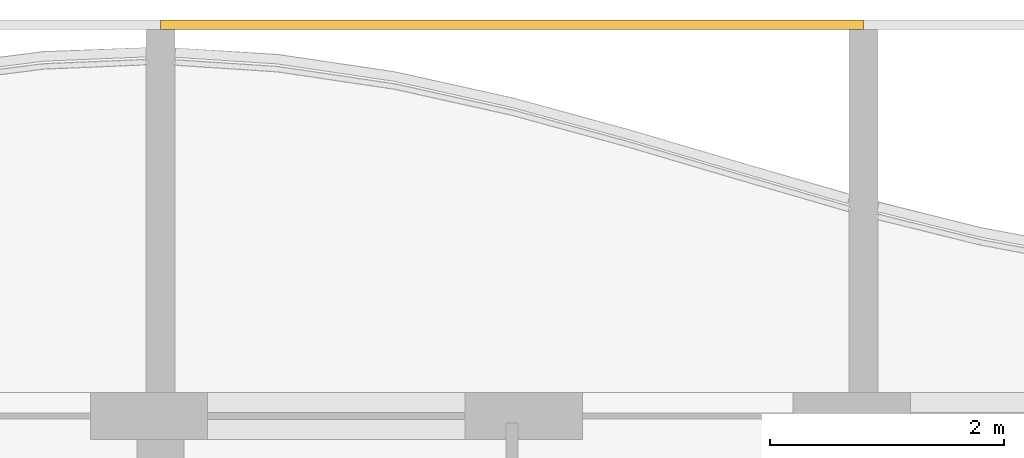
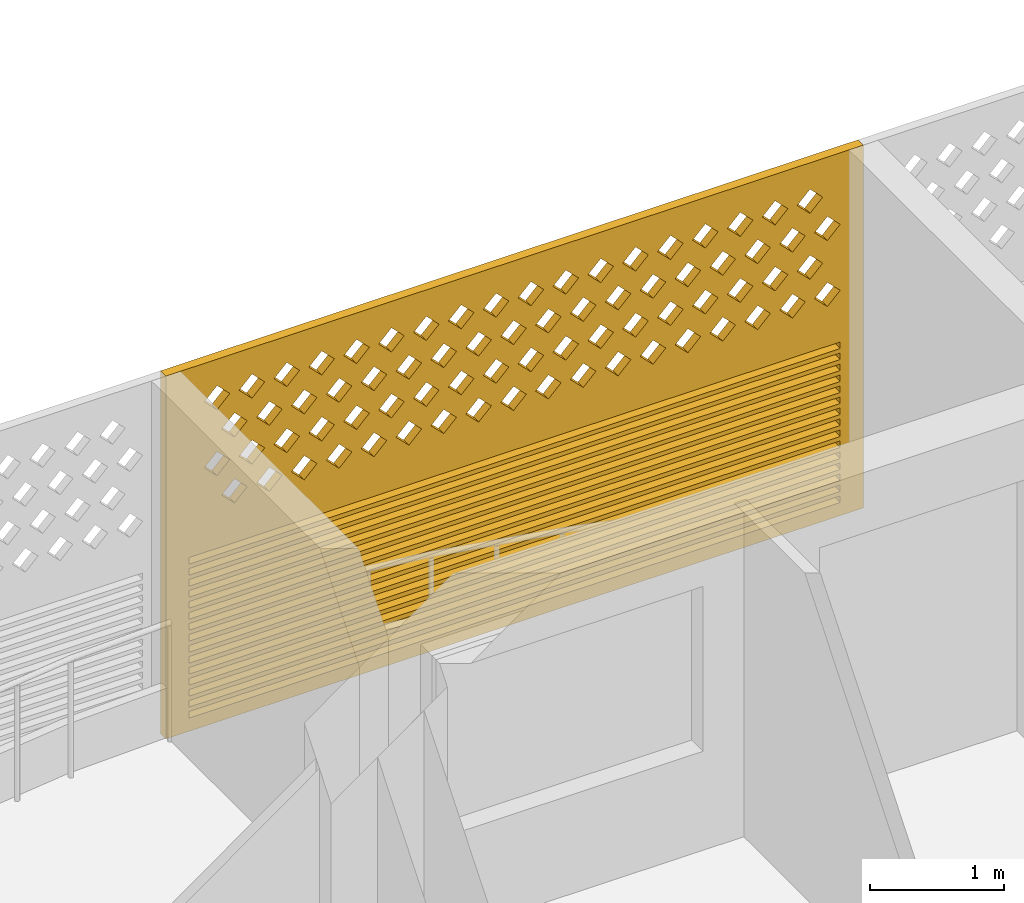
# One storey, part 22 of 39: 1 covering.
"""IFC4 building model written with IfcOpenShell, lengths in metres."""

from ifc_helpers import new_model, si_unit, direction, frame, origin, place, context, subcontext, project, spatial, polyline, outline, extrude, source, transform, mapped, material, material_profile, profile_set, type_object, element, save


model = new_model("IFC4")

# Units and contexts
model_context = context("Model", 3, precision=1e-05, world=origin(), true_north=direction((0.0, 1.0)))
body_context = subcontext(model_context, "Body", "Model", "MODEL_VIEW")
ifc_project = project(units=[si_unit("LENGTHUNIT", "METRE"), si_unit("AREAUNIT", "SQUARE_METRE"), si_unit("VOLUMEUNIT", "CUBIC_METRE"), si_unit("PLANEANGLEUNIT", "RADIAN"), si_unit("MASSUNIT", "GRAM", prefix="KILO")], contexts=[model_context])

# Site, building, storey
site_placement = place(None, origin())
site = spatial("IfcSite", under=ifc_project, at=site_placement, CompositionType="ELEMENT")
building_placement = place(site_placement, origin())
building = spatial("IfcBuilding", under=site, at=building_placement, Name="Poui Terraces", CompositionType="ELEMENT")
storey_placement = place(building_placement, frame((0.0, 0.0, 63.0)))
storey = spatial("IfcBuildingStorey", under=building, at=storey_placement, Name="L17", CompositionType="ELEMENT", Elevation=63.0)

# Covering
ifc_material = material(Name="Terracotta screen", Category="masonry")
ifc_material_profile = material_profile(ifc_material, outline(polyline([(-3.0, -1.64990234375), (3.0, -1.64990234375), (3.0, 1.64990234375), (-3.0, 1.64990234375), (-3.0, -1.64990234375)]), holes=[polyline([(-2.800048828125, 0.39990234375), (-2.68994140625, 0.2900390625), (-2.580078125, 0.39990234375), (-2.68994140625, 0.510009765625), (-2.800048828125, 0.39990234375)]), polyline([(-2.5, 0.39990234375), (-2.389892578125, 0.2900390625), (-2.280029296875, 0.39990234375), (-2.389892578125, 0.510009765625), (-2.5, 0.39990234375)]), polyline([(-2.199951171875, 0.39990234375), (-2.090087890625, 0.2900390625), (-1.97998046875, 0.39990234375), (-2.090087890625, 0.510009765625), (-2.199951171875, 0.39990234375)]), polyline([(-1.89990234375, 0.39990234375), (-1.7900390625, 0.2900390625), (-1.679931640625, 0.39990234375), (-1.7900390625, 0.510009765625), (-1.89990234375, 0.39990234375)]), polyline([(-1.60009765625, 0.39990234375), (-1.489990234375, 0.2900390625), (-1.3798828125, 0.39990234375), (-1.489990234375, 0.510009765625), (-1.60009765625, 0.39990234375)]), polyline([(-1.300048828125, 0.39990234375), (-1.18994140625, 0.2900390625), (-1.080078125, 0.39990234375), (-1.18994140625, 0.510009765625), (-1.300048828125, 0.39990234375)]), polyline([(-1.0, 0.39990234375), (-0.889892578125, 0.2900390625), (-0.780029296875, 0.39990234375), (-0.889892578125, 0.510009765625), (-1.0, 0.39990234375)]), polyline([(-0.699951171875, 0.39990234375), (-0.590087890625, 0.2900390625), (-0.47998046875, 0.39990234375), (-0.590087890625, 0.510009765625), (-0.699951171875, 0.39990234375)]), polyline([(-0.39990234375, 0.39990234375), (-0.2900390625, 0.2900390625), (-0.179931640625, 0.39990234375), (-0.2900390625, 0.510009765625), (-0.39990234375, 0.39990234375)]), polyline([(-0.10009765625, 0.39990234375), (0.010009765625, 0.2900390625), (0.1201171875, 0.39990234375), (0.010009765625, 0.510009765625), (-0.10009765625, 0.39990234375)]), polyline([(0.199951171875, 0.39990234375), (0.31005859375, 0.2900390625), (0.419921875, 0.39990234375), (0.31005859375, 0.510009765625), (0.199951171875, 0.39990234375)]), polyline([(0.5, 0.39990234375), (0.610107421875, 0.2900390625), (0.719970703125, 0.39990234375), (0.610107421875, 0.510009765625), (0.5, 0.39990234375)]), polyline([(0.800048828125, 0.39990234375), (0.909912109375, 0.2900390625), (1.02001953125, 0.39990234375), (0.909912109375, 0.510009765625), (0.800048828125, 0.39990234375)]), polyline([(1.10009765625, 0.39990234375), (1.2099609375, 0.2900390625), (1.320068359375, 0.39990234375), (1.2099609375, 0.510009765625), (1.10009765625, 0.39990234375)]), polyline([(1.39990234375, 0.39990234375), (1.510009765625, 0.2900390625), (1.6201171875, 0.39990234375), (1.510009765625, 0.510009765625), (1.39990234375, 0.39990234375)]), polyline([(1.699951171875, 0.39990234375), (1.81005859375, 0.2900390625), (1.919921875, 0.39990234375), (1.81005859375, 0.510009765625), (1.699951171875, 0.39990234375)]), polyline([(2.0, 0.39990234375), (2.110107421875, 0.2900390625), (2.219970703125, 0.39990234375), (2.110107421875, 0.510009765625), (2.0, 0.39990234375)]), polyline([(2.300048828125, 0.39990234375), (2.409912109375, 0.2900390625), (2.52001953125, 0.39990234375), (2.409912109375, 0.510009765625), (2.300048828125, 0.39990234375)]), polyline([(-2.64990234375, 0.699951171875), (-2.5400390625, 0.590087890625), (-2.429931640625, 0.699951171875), (-2.5400390625, 0.81005859375), (-2.64990234375, 0.699951171875)]), polyline([(-2.35009765625, 0.699951171875), (-2.239990234375, 0.590087890625), (-2.1298828125, 0.699951171875), (-2.239990234375, 0.81005859375), (-2.35009765625, 0.699951171875)]), polyline([(-2.050048828125, 0.699951171875), (-1.93994140625, 0.590087890625), (-1.830078125, 0.699951171875), (-1.93994140625, 0.81005859375), (-2.050048828125, 0.699951171875)]), polyline([(-1.75, 0.699951171875), (-1.639892578125, 0.590087890625), (-1.530029296875, 0.699951171875), (-1.639892578125, 0.81005859375), (-1.75, 0.699951171875)]), polyline([(-1.449951171875, 0.699951171875), (-1.340087890625, 0.590087890625), (-1.22998046875, 0.699951171875), (-1.340087890625, 0.81005859375), (-1.449951171875, 0.699951171875)]), polyline([(-1.14990234375, 0.699951171875), (-1.0400390625, 0.590087890625), (-0.929931640625, 0.699951171875), (-1.0400390625, 0.81005859375), (-1.14990234375, 0.699951171875)]), polyline([(-0.85009765625, 0.699951171875), (-0.739990234375, 0.590087890625), (-0.6298828125, 0.699951171875), (-0.739990234375, 0.81005859375), (-0.85009765625, 0.699951171875)]), polyline([(-0.550048828125, 0.699951171875), (-0.43994140625, 0.590087890625), (-0.330078125, 0.699951171875), (-0.43994140625, 0.81005859375), (-0.550048828125, 0.699951171875)]), polyline([(-0.25, 0.699951171875), (-0.139892578125, 0.590087890625), (-0.030029296875, 0.699951171875), (-0.139892578125, 0.81005859375), (-0.25, 0.699951171875)]), polyline([(0.050048828125, 0.699951171875), (0.159912109375, 0.590087890625), (0.27001953125, 0.699951171875), (0.159912109375, 0.81005859375), (0.050048828125, 0.699951171875)]), polyline([(0.35009765625, 0.699951171875), (0.4599609375, 0.590087890625), (0.570068359375, 0.699951171875), (0.4599609375, 0.81005859375), (0.35009765625, 0.699951171875)]), polyline([(0.64990234375, 0.699951171875), (0.760009765625, 0.590087890625), (0.8701171875, 0.699951171875), (0.760009765625, 0.81005859375), (0.64990234375, 0.699951171875)]), polyline([(0.949951171875, 0.699951171875), (1.06005859375, 0.590087890625), (1.169921875, 0.699951171875), (1.06005859375, 0.81005859375), (0.949951171875, 0.699951171875)]), polyline([(1.25, 0.699951171875), (1.360107421875, 0.590087890625), (1.469970703125, 0.699951171875), (1.360107421875, 0.81005859375), (1.25, 0.699951171875)]), polyline([(1.550048828125, 0.699951171875), (1.659912109375, 0.590087890625), (1.77001953125, 0.699951171875), (1.659912109375, 0.81005859375), (1.550048828125, 0.699951171875)]), polyline([(1.85009765625, 0.699951171875), (1.9599609375, 0.590087890625), (2.070068359375, 0.699951171875), (1.9599609375, 0.81005859375), (1.85009765625, 0.699951171875)]), polyline([(2.14990234375, 0.699951171875), (2.260009765625, 0.590087890625), (2.3701171875, 0.699951171875), (2.260009765625, 0.81005859375), (2.14990234375, 0.699951171875)]), polyline([(2.449951171875, 0.699951171875), (2.56005859375, 0.590087890625), (2.669921875, 0.699951171875), (2.56005859375, 0.81005859375), (2.449951171875, 0.699951171875)]), polyline([(-2.800048828125, 1.0), (-2.68994140625, 0.889892578125), (-2.580078125, 1.0), (-2.68994140625, 1.110107421875), (-2.800048828125, 1.0)]), polyline([(-2.5, 1.0), (-2.389892578125, 0.889892578125), (-2.280029296875, 1.0), (-2.389892578125, 1.110107421875), (-2.5, 1.0)]), polyline([(-2.199951171875, 1.0), (-2.090087890625, 0.889892578125), (-1.97998046875, 1.0), (-2.090087890625, 1.110107421875), (-2.199951171875, 1.0)]), polyline([(-1.89990234375, 1.0), (-1.7900390625, 0.889892578125), (-1.679931640625, 1.0), (-1.7900390625, 1.110107421875), (-1.89990234375, 1.0)]), polyline([(-1.60009765625, 1.0), (-1.489990234375, 0.889892578125), (-1.3798828125, 1.0), (-1.489990234375, 1.110107421875), (-1.60009765625, 1.0)]), polyline([(-1.300048828125, 1.0), (-1.18994140625, 0.889892578125), (-1.080078125, 1.0), (-1.18994140625, 1.110107421875), (-1.300048828125, 1.0)]), polyline([(-1.0, 1.0), (-0.889892578125, 0.889892578125), (-0.780029296875, 1.0), (-0.889892578125, 1.110107421875), (-1.0, 1.0)]), polyline([(-0.699951171875, 1.0), (-0.590087890625, 0.889892578125), (-0.47998046875, 1.0), (-0.590087890625, 1.110107421875), (-0.699951171875, 1.0)]), polyline([(-0.39990234375, 1.0), (-0.2900390625, 0.889892578125), (-0.179931640625, 1.0), (-0.2900390625, 1.110107421875), (-0.39990234375, 1.0)]), polyline([(-0.10009765625, 1.0), (0.010009765625, 0.889892578125), (0.1201171875, 1.0), (0.010009765625, 1.110107421875), (-0.10009765625, 1.0)]), polyline([(0.199951171875, 1.0), (0.31005859375, 0.889892578125), (0.419921875, 1.0), (0.31005859375, 1.110107421875), (0.199951171875, 1.0)]), polyline([(0.5, 1.0), (0.610107421875, 0.889892578125), (0.719970703125, 1.0), (0.610107421875, 1.110107421875), (0.5, 1.0)]), polyline([(0.800048828125, 1.0), (0.909912109375, 0.889892578125), (1.02001953125, 1.0), (0.909912109375, 1.110107421875), (0.800048828125, 1.0)]), polyline([(1.10009765625, 1.0), (1.2099609375, 0.889892578125), (1.320068359375, 1.0), (1.2099609375, 1.110107421875), (1.10009765625, 1.0)]), polyline([(1.39990234375, 1.0), (1.510009765625, 0.889892578125), (1.6201171875, 1.0), (1.510009765625, 1.110107421875), (1.39990234375, 1.0)]), polyline([(1.699951171875, 1.0), (1.81005859375, 0.889892578125), (1.919921875, 1.0), (1.81005859375, 1.110107421875), (1.699951171875, 1.0)]), polyline([(2.0, 1.0), (2.110107421875, 0.889892578125), (2.219970703125, 1.0), (2.110107421875, 1.110107421875), (2.0, 1.0)]), polyline([(2.300048828125, 1.0), (2.409912109375, 0.889892578125), (2.52001953125, 1.0), (2.409912109375, 1.110107421875), (2.300048828125, 1.0)]), polyline([(-2.64990234375, 1.300048828125), (-2.5400390625, 1.18994140625), (-2.429931640625, 1.300048828125), (-2.5400390625, 1.409912109375), (-2.64990234375, 1.300048828125)]), polyline([(-2.35009765625, 1.300048828125), (-2.239990234375, 1.18994140625), (-2.1298828125, 1.300048828125), (-2.239990234375, 1.409912109375), (-2.35009765625, 1.300048828125)]), polyline([(-2.050048828125, 1.300048828125), (-1.93994140625, 1.18994140625), (-1.830078125, 1.300048828125), (-1.93994140625, 1.409912109375), (-2.050048828125, 1.300048828125)]), polyline([(-1.75, 1.300048828125), (-1.639892578125, 1.18994140625), (-1.530029296875, 1.300048828125), (-1.639892578125, 1.409912109375), (-1.75, 1.300048828125)]), polyline([(-1.449951171875, 1.300048828125), (-1.340087890625, 1.18994140625), (-1.22998046875, 1.300048828125), (-1.340087890625, 1.409912109375), (-1.449951171875, 1.300048828125)]), polyline([(-1.14990234375, 1.300048828125), (-1.0400390625, 1.18994140625), (-0.929931640625, 1.300048828125), (-1.0400390625, 1.409912109375), (-1.14990234375, 1.300048828125)]), polyline([(-0.85009765625, 1.300048828125), (-0.739990234375, 1.18994140625), (-0.6298828125, 1.300048828125), (-0.739990234375, 1.409912109375), (-0.85009765625, 1.300048828125)]), polyline([(-0.550048828125, 1.300048828125), (-0.43994140625, 1.18994140625), (-0.330078125, 1.300048828125), (-0.43994140625, 1.409912109375), (-0.550048828125, 1.300048828125)]), polyline([(-0.25, 1.300048828125), (-0.139892578125, 1.18994140625), (-0.030029296875, 1.300048828125), (-0.139892578125, 1.409912109375), (-0.25, 1.300048828125)]), polyline([(0.050048828125, 1.300048828125), (0.159912109375, 1.18994140625), (0.27001953125, 1.300048828125), (0.159912109375, 1.409912109375), (0.050048828125, 1.300048828125)]), polyline([(0.35009765625, 1.300048828125), (0.4599609375, 1.18994140625), (0.570068359375, 1.300048828125), (0.4599609375, 1.409912109375), (0.35009765625, 1.300048828125)]), polyline([(0.64990234375, 1.300048828125), (0.760009765625, 1.18994140625), (0.8701171875, 1.300048828125), (0.760009765625, 1.409912109375), (0.64990234375, 1.300048828125)]), polyline([(0.949951171875, 1.300048828125), (1.06005859375, 1.18994140625), (1.169921875, 1.300048828125), (1.06005859375, 1.409912109375), (0.949951171875, 1.300048828125)]), polyline([(1.25, 1.300048828125), (1.360107421875, 1.18994140625), (1.469970703125, 1.300048828125), (1.360107421875, 1.409912109375), (1.25, 1.300048828125)]), polyline([(1.550048828125, 1.300048828125), (1.659912109375, 1.18994140625), (1.77001953125, 1.300048828125), (1.659912109375, 1.409912109375), (1.550048828125, 1.300048828125)]), polyline([(1.85009765625, 1.300048828125), (1.9599609375, 1.18994140625), (2.070068359375, 1.300048828125), (1.9599609375, 1.409912109375), (1.85009765625, 1.300048828125)]), polyline([(2.14990234375, 1.300048828125), (2.260009765625, 1.18994140625), (2.3701171875, 1.300048828125), (2.260009765625, 1.409912109375), (2.14990234375, 1.300048828125)]), polyline([(2.449951171875, 1.300048828125), (2.56005859375, 1.18994140625), (2.669921875, 1.300048828125), (2.56005859375, 1.409912109375), (2.449951171875, 1.300048828125)]), polyline([(-2.800048828125, -1.530029296875), (2.800048828125, -1.530029296875), (2.800048828125, -1.469970703125), (-2.800048828125, -1.469970703125), (-2.800048828125, -1.530029296875)]), polyline([(-2.800048828125, -1.429931640625), (2.800048828125, -1.429931640625), (2.800048828125, -1.3701171875), (-2.800048828125, -1.3701171875), (-2.800048828125, -1.429931640625)]), polyline([(-2.800048828125, -1.330078125), (2.800048828125, -1.330078125), (2.800048828125, -1.27001953125), (-2.800048828125, -1.27001953125), (-2.800048828125, -1.330078125)]), polyline([(-2.800048828125, -1.22998046875), (2.800048828125, -1.22998046875), (2.800048828125, -1.169921875), (-2.800048828125, -1.169921875), (-2.800048828125, -1.22998046875)]), polyline([(-2.800048828125, -1.1298828125), (2.800048828125, -1.1298828125), (2.800048828125, -1.070068359375), (-2.800048828125, -1.070068359375), (-2.800048828125, -1.1298828125)]), polyline([(-2.800048828125, -1.030029296875), (2.800048828125, -1.030029296875), (2.800048828125, -0.969970703125), (-2.800048828125, -0.969970703125), (-2.800048828125, -1.030029296875)]), polyline([(-2.800048828125, -0.929931640625), (2.800048828125, -0.929931640625), (2.800048828125, -0.8701171875), (-2.800048828125, -0.8701171875), (-2.800048828125, -0.929931640625)]), polyline([(-2.800048828125, -0.830078125), (2.800048828125, -0.830078125), (2.800048828125, -0.77001953125), (-2.800048828125, -0.77001953125), (-2.800048828125, -0.830078125)]), polyline([(-2.800048828125, -0.72998046875), (2.800048828125, -0.72998046875), (2.800048828125, -0.669921875), (-2.800048828125, -0.669921875), (-2.800048828125, -0.72998046875)]), polyline([(-2.800048828125, -0.6298828125), (2.800048828125, -0.6298828125), (2.800048828125, -0.570068359375), (-2.800048828125, -0.570068359375), (-2.800048828125, -0.6298828125)]), polyline([(-2.800048828125, -0.530029296875), (2.800048828125, -0.530029296875), (2.800048828125, -0.469970703125), (-2.800048828125, -0.469970703125), (-2.800048828125, -0.530029296875)]), polyline([(-2.800048828125, -0.429931640625), (2.800048828125, -0.429931640625), (2.800048828125, -0.3701171875), (-2.800048828125, -0.3701171875), (-2.800048828125, -0.429931640625)]), polyline([(-2.800048828125, -0.330078125), (2.800048828125, -0.330078125), (2.800048828125, -0.27001953125), (-2.800048828125, -0.27001953125), (-2.800048828125, -0.330078125)]), polyline([(-2.800048828125, -0.22998046875), (2.800048828125, -0.22998046875), (2.800048828125, -0.169921875), (-2.800048828125, -0.169921875), (-2.800048828125, -0.22998046875)]), polyline([(-2.800048828125, -0.1298828125), (2.800048828125, -0.1298828125), (2.800048828125, -0.070068359375), (-2.800048828125, -0.070068359375), (-2.800048828125, -0.1298828125)])]), Name="TERRACOTTA SCREEN AND JALOUSIE LOUVRE 6000X3300")
ifc_profile_set = profile_set([ifc_material_profile], Name="Terracotta screen")
covering_type = type_object("IfcCoveringType", Name="TERRACOTTA SCREEN AND JALOUSIE LOUVRE 6000X3300", PredefinedType="CLADDING", material=ifc_profile_set)
shared_shape = source(origin(), body_context, "Body", "SweptSolid", [
    extrude(outline(polyline([(-3.0, -1.64990234375), (3.0, -1.64990234375), (3.0, 1.64990234375), (-3.0, 1.64990234375), (-3.0, -1.64990234375)]), holes=[polyline([(-2.800048828125, 0.39990234375), (-2.68994140625, 0.2900390625), (-2.580078125, 0.39990234375), (-2.68994140625, 0.510009765625), (-2.800048828125, 0.39990234375)]), polyline([(-2.5, 0.39990234375), (-2.389892578125, 0.2900390625), (-2.280029296875, 0.39990234375), (-2.389892578125, 0.510009765625), (-2.5, 0.39990234375)]), polyline([(-2.199951171875, 0.39990234375), (-2.090087890625, 0.2900390625), (-1.97998046875, 0.39990234375), (-2.090087890625, 0.510009765625), (-2.199951171875, 0.39990234375)]), polyline([(-1.89990234375, 0.39990234375), (-1.7900390625, 0.2900390625), (-1.679931640625, 0.39990234375), (-1.7900390625, 0.510009765625), (-1.89990234375, 0.39990234375)]), polyline([(-1.60009765625, 0.39990234375), (-1.489990234375, 0.2900390625), (-1.3798828125, 0.39990234375), (-1.489990234375, 0.510009765625), (-1.60009765625, 0.39990234375)]), polyline([(-1.300048828125, 0.39990234375), (-1.18994140625, 0.2900390625), (-1.080078125, 0.39990234375), (-1.18994140625, 0.510009765625), (-1.300048828125, 0.39990234375)]), polyline([(-1.0, 0.39990234375), (-0.889892578125, 0.2900390625), (-0.780029296875, 0.39990234375), (-0.889892578125, 0.510009765625), (-1.0, 0.39990234375)]), polyline([(-0.699951171875, 0.39990234375), (-0.590087890625, 0.2900390625), (-0.47998046875, 0.39990234375), (-0.590087890625, 0.510009765625), (-0.699951171875, 0.39990234375)]), polyline([(-0.39990234375, 0.39990234375), (-0.2900390625, 0.2900390625), (-0.179931640625, 0.39990234375), (-0.2900390625, 0.510009765625), (-0.39990234375, 0.39990234375)]), polyline([(-0.10009765625, 0.39990234375), (0.010009765625, 0.2900390625), (0.1201171875, 0.39990234375), (0.010009765625, 0.510009765625), (-0.10009765625, 0.39990234375)]), polyline([(0.199951171875, 0.39990234375), (0.31005859375, 0.2900390625), (0.419921875, 0.39990234375), (0.31005859375, 0.510009765625), (0.199951171875, 0.39990234375)]), polyline([(0.5, 0.39990234375), (0.610107421875, 0.2900390625), (0.719970703125, 0.39990234375), (0.610107421875, 0.510009765625), (0.5, 0.39990234375)]), polyline([(0.800048828125, 0.39990234375), (0.909912109375, 0.2900390625), (1.02001953125, 0.39990234375), (0.909912109375, 0.510009765625), (0.800048828125, 0.39990234375)]), polyline([(1.10009765625, 0.39990234375), (1.2099609375, 0.2900390625), (1.320068359375, 0.39990234375), (1.2099609375, 0.510009765625), (1.10009765625, 0.39990234375)]), polyline([(1.39990234375, 0.39990234375), (1.510009765625, 0.2900390625), (1.6201171875, 0.39990234375), (1.510009765625, 0.510009765625), (1.39990234375, 0.39990234375)]), polyline([(1.699951171875, 0.39990234375), (1.81005859375, 0.2900390625), (1.919921875, 0.39990234375), (1.81005859375, 0.510009765625), (1.699951171875, 0.39990234375)]), polyline([(2.0, 0.39990234375), (2.110107421875, 0.2900390625), (2.219970703125, 0.39990234375), (2.110107421875, 0.510009765625), (2.0, 0.39990234375)]), polyline([(2.300048828125, 0.39990234375), (2.409912109375, 0.2900390625), (2.52001953125, 0.39990234375), (2.409912109375, 0.510009765625), (2.300048828125, 0.39990234375)]), polyline([(-2.64990234375, 0.699951171875), (-2.5400390625, 0.590087890625), (-2.429931640625, 0.699951171875), (-2.5400390625, 0.81005859375), (-2.64990234375, 0.699951171875)]), polyline([(-2.35009765625, 0.699951171875), (-2.239990234375, 0.590087890625), (-2.1298828125, 0.699951171875), (-2.239990234375, 0.81005859375), (-2.35009765625, 0.699951171875)]), polyline([(-2.050048828125, 0.699951171875), (-1.93994140625, 0.590087890625), (-1.830078125, 0.699951171875), (-1.93994140625, 0.81005859375), (-2.050048828125, 0.699951171875)]), polyline([(-1.75, 0.699951171875), (-1.639892578125, 0.590087890625), (-1.530029296875, 0.699951171875), (-1.639892578125, 0.81005859375), (-1.75, 0.699951171875)]), polyline([(-1.449951171875, 0.699951171875), (-1.340087890625, 0.590087890625), (-1.22998046875, 0.699951171875), (-1.340087890625, 0.81005859375), (-1.449951171875, 0.699951171875)]), polyline([(-1.14990234375, 0.699951171875), (-1.0400390625, 0.590087890625), (-0.929931640625, 0.699951171875), (-1.0400390625, 0.81005859375), (-1.14990234375, 0.699951171875)]), polyline([(-0.85009765625, 0.699951171875), (-0.739990234375, 0.590087890625), (-0.6298828125, 0.699951171875), (-0.739990234375, 0.81005859375), (-0.85009765625, 0.699951171875)]), polyline([(-0.550048828125, 0.699951171875), (-0.43994140625, 0.590087890625), (-0.330078125, 0.699951171875), (-0.43994140625, 0.81005859375), (-0.550048828125, 0.699951171875)]), polyline([(-0.25, 0.699951171875), (-0.139892578125, 0.590087890625), (-0.030029296875, 0.699951171875), (-0.139892578125, 0.81005859375), (-0.25, 0.699951171875)]), polyline([(0.050048828125, 0.699951171875), (0.159912109375, 0.590087890625), (0.27001953125, 0.699951171875), (0.159912109375, 0.81005859375), (0.050048828125, 0.699951171875)]), polyline([(0.35009765625, 0.699951171875), (0.4599609375, 0.590087890625), (0.570068359375, 0.699951171875), (0.4599609375, 0.81005859375), (0.35009765625, 0.699951171875)]), polyline([(0.64990234375, 0.699951171875), (0.760009765625, 0.590087890625), (0.8701171875, 0.699951171875), (0.760009765625, 0.81005859375), (0.64990234375, 0.699951171875)]), polyline([(0.949951171875, 0.699951171875), (1.06005859375, 0.590087890625), (1.169921875, 0.699951171875), (1.06005859375, 0.81005859375), (0.949951171875, 0.699951171875)]), polyline([(1.25, 0.699951171875), (1.360107421875, 0.590087890625), (1.469970703125, 0.699951171875), (1.360107421875, 0.81005859375), (1.25, 0.699951171875)]), polyline([(1.550048828125, 0.699951171875), (1.659912109375, 0.590087890625), (1.77001953125, 0.699951171875), (1.659912109375, 0.81005859375), (1.550048828125, 0.699951171875)]), polyline([(1.85009765625, 0.699951171875), (1.9599609375, 0.590087890625), (2.070068359375, 0.699951171875), (1.9599609375, 0.81005859375), (1.85009765625, 0.699951171875)]), polyline([(2.14990234375, 0.699951171875), (2.260009765625, 0.590087890625), (2.3701171875, 0.699951171875), (2.260009765625, 0.81005859375), (2.14990234375, 0.699951171875)]), polyline([(2.449951171875, 0.699951171875), (2.56005859375, 0.590087890625), (2.669921875, 0.699951171875), (2.56005859375, 0.81005859375), (2.449951171875, 0.699951171875)]), polyline([(-2.800048828125, 1.0), (-2.68994140625, 0.889892578125), (-2.580078125, 1.0), (-2.68994140625, 1.110107421875), (-2.800048828125, 1.0)]), polyline([(-2.5, 1.0), (-2.389892578125, 0.889892578125), (-2.280029296875, 1.0), (-2.389892578125, 1.110107421875), (-2.5, 1.0)]), polyline([(-2.199951171875, 1.0), (-2.090087890625, 0.889892578125), (-1.97998046875, 1.0), (-2.090087890625, 1.110107421875), (-2.199951171875, 1.0)]), polyline([(-1.89990234375, 1.0), (-1.7900390625, 0.889892578125), (-1.679931640625, 1.0), (-1.7900390625, 1.110107421875), (-1.89990234375, 1.0)]), polyline([(-1.60009765625, 1.0), (-1.489990234375, 0.889892578125), (-1.3798828125, 1.0), (-1.489990234375, 1.110107421875), (-1.60009765625, 1.0)]), polyline([(-1.300048828125, 1.0), (-1.18994140625, 0.889892578125), (-1.080078125, 1.0), (-1.18994140625, 1.110107421875), (-1.300048828125, 1.0)]), polyline([(-1.0, 1.0), (-0.889892578125, 0.889892578125), (-0.780029296875, 1.0), (-0.889892578125, 1.110107421875), (-1.0, 1.0)]), polyline([(-0.699951171875, 1.0), (-0.590087890625, 0.889892578125), (-0.47998046875, 1.0), (-0.590087890625, 1.110107421875), (-0.699951171875, 1.0)]), polyline([(-0.39990234375, 1.0), (-0.2900390625, 0.889892578125), (-0.179931640625, 1.0), (-0.2900390625, 1.110107421875), (-0.39990234375, 1.0)]), polyline([(-0.10009765625, 1.0), (0.010009765625, 0.889892578125), (0.1201171875, 1.0), (0.010009765625, 1.110107421875), (-0.10009765625, 1.0)]), polyline([(0.199951171875, 1.0), (0.31005859375, 0.889892578125), (0.419921875, 1.0), (0.31005859375, 1.110107421875), (0.199951171875, 1.0)]), polyline([(0.5, 1.0), (0.610107421875, 0.889892578125), (0.719970703125, 1.0), (0.610107421875, 1.110107421875), (0.5, 1.0)]), polyline([(0.800048828125, 1.0), (0.909912109375, 0.889892578125), (1.02001953125, 1.0), (0.909912109375, 1.110107421875), (0.800048828125, 1.0)]), polyline([(1.10009765625, 1.0), (1.2099609375, 0.889892578125), (1.320068359375, 1.0), (1.2099609375, 1.110107421875), (1.10009765625, 1.0)]), polyline([(1.39990234375, 1.0), (1.510009765625, 0.889892578125), (1.6201171875, 1.0), (1.510009765625, 1.110107421875), (1.39990234375, 1.0)]), polyline([(1.699951171875, 1.0), (1.81005859375, 0.889892578125), (1.919921875, 1.0), (1.81005859375, 1.110107421875), (1.699951171875, 1.0)]), polyline([(2.0, 1.0), (2.110107421875, 0.889892578125), (2.219970703125, 1.0), (2.110107421875, 1.110107421875), (2.0, 1.0)]), polyline([(2.300048828125, 1.0), (2.409912109375, 0.889892578125), (2.52001953125, 1.0), (2.409912109375, 1.110107421875), (2.300048828125, 1.0)]), polyline([(-2.64990234375, 1.300048828125), (-2.5400390625, 1.18994140625), (-2.429931640625, 1.300048828125), (-2.5400390625, 1.409912109375), (-2.64990234375, 1.300048828125)]), polyline([(-2.35009765625, 1.300048828125), (-2.239990234375, 1.18994140625), (-2.1298828125, 1.300048828125), (-2.239990234375, 1.409912109375), (-2.35009765625, 1.300048828125)]), polyline([(-2.050048828125, 1.300048828125), (-1.93994140625, 1.18994140625), (-1.830078125, 1.300048828125), (-1.93994140625, 1.409912109375), (-2.050048828125, 1.300048828125)]), polyline([(-1.75, 1.300048828125), (-1.639892578125, 1.18994140625), (-1.530029296875, 1.300048828125), (-1.639892578125, 1.409912109375), (-1.75, 1.300048828125)]), polyline([(-1.449951171875, 1.300048828125), (-1.340087890625, 1.18994140625), (-1.22998046875, 1.300048828125), (-1.340087890625, 1.409912109375), (-1.449951171875, 1.300048828125)]), polyline([(-1.14990234375, 1.300048828125), (-1.0400390625, 1.18994140625), (-0.929931640625, 1.300048828125), (-1.0400390625, 1.409912109375), (-1.14990234375, 1.300048828125)]), polyline([(-0.85009765625, 1.300048828125), (-0.739990234375, 1.18994140625), (-0.6298828125, 1.300048828125), (-0.739990234375, 1.409912109375), (-0.85009765625, 1.300048828125)]), polyline([(-0.550048828125, 1.300048828125), (-0.43994140625, 1.18994140625), (-0.330078125, 1.300048828125), (-0.43994140625, 1.409912109375), (-0.550048828125, 1.300048828125)]), polyline([(-0.25, 1.300048828125), (-0.139892578125, 1.18994140625), (-0.030029296875, 1.300048828125), (-0.139892578125, 1.409912109375), (-0.25, 1.300048828125)]), polyline([(0.050048828125, 1.300048828125), (0.159912109375, 1.18994140625), (0.27001953125, 1.300048828125), (0.159912109375, 1.409912109375), (0.050048828125, 1.300048828125)]), polyline([(0.35009765625, 1.300048828125), (0.4599609375, 1.18994140625), (0.570068359375, 1.300048828125), (0.4599609375, 1.409912109375), (0.35009765625, 1.300048828125)]), polyline([(0.64990234375, 1.300048828125), (0.760009765625, 1.18994140625), (0.8701171875, 1.300048828125), (0.760009765625, 1.409912109375), (0.64990234375, 1.300048828125)]), polyline([(0.949951171875, 1.300048828125), (1.06005859375, 1.18994140625), (1.169921875, 1.300048828125), (1.06005859375, 1.409912109375), (0.949951171875, 1.300048828125)]), polyline([(1.25, 1.300048828125), (1.360107421875, 1.18994140625), (1.469970703125, 1.300048828125), (1.360107421875, 1.409912109375), (1.25, 1.300048828125)]), polyline([(1.550048828125, 1.300048828125), (1.659912109375, 1.18994140625), (1.77001953125, 1.300048828125), (1.659912109375, 1.409912109375), (1.550048828125, 1.300048828125)]), polyline([(1.85009765625, 1.300048828125), (1.9599609375, 1.18994140625), (2.070068359375, 1.300048828125), (1.9599609375, 1.409912109375), (1.85009765625, 1.300048828125)]), polyline([(2.14990234375, 1.300048828125), (2.260009765625, 1.18994140625), (2.3701171875, 1.300048828125), (2.260009765625, 1.409912109375), (2.14990234375, 1.300048828125)]), polyline([(2.449951171875, 1.300048828125), (2.56005859375, 1.18994140625), (2.669921875, 1.300048828125), (2.56005859375, 1.409912109375), (2.449951171875, 1.300048828125)]), polyline([(-2.800048828125, -1.530029296875), (2.800048828125, -1.530029296875), (2.800048828125, -1.469970703125), (-2.800048828125, -1.469970703125), (-2.800048828125, -1.530029296875)]), polyline([(-2.800048828125, -1.429931640625), (2.800048828125, -1.429931640625), (2.800048828125, -1.3701171875), (-2.800048828125, -1.3701171875), (-2.800048828125, -1.429931640625)]), polyline([(-2.800048828125, -1.330078125), (2.800048828125, -1.330078125), (2.800048828125, -1.27001953125), (-2.800048828125, -1.27001953125), (-2.800048828125, -1.330078125)]), polyline([(-2.800048828125, -1.22998046875), (2.800048828125, -1.22998046875), (2.800048828125, -1.169921875), (-2.800048828125, -1.169921875), (-2.800048828125, -1.22998046875)]), polyline([(-2.800048828125, -1.1298828125), (2.800048828125, -1.1298828125), (2.800048828125, -1.070068359375), (-2.800048828125, -1.070068359375), (-2.800048828125, -1.1298828125)]), polyline([(-2.800048828125, -1.030029296875), (2.800048828125, -1.030029296875), (2.800048828125, -0.969970703125), (-2.800048828125, -0.969970703125), (-2.800048828125, -1.030029296875)]), polyline([(-2.800048828125, -0.929931640625), (2.800048828125, -0.929931640625), (2.800048828125, -0.8701171875), (-2.800048828125, -0.8701171875), (-2.800048828125, -0.929931640625)]), polyline([(-2.800048828125, -0.830078125), (2.800048828125, -0.830078125), (2.800048828125, -0.77001953125), (-2.800048828125, -0.77001953125), (-2.800048828125, -0.830078125)]), polyline([(-2.800048828125, -0.72998046875), (2.800048828125, -0.72998046875), (2.800048828125, -0.669921875), (-2.800048828125, -0.669921875), (-2.800048828125, -0.72998046875)]), polyline([(-2.800048828125, -0.6298828125), (2.800048828125, -0.6298828125), (2.800048828125, -0.570068359375), (-2.800048828125, -0.570068359375), (-2.800048828125, -0.6298828125)]), polyline([(-2.800048828125, -0.530029296875), (2.800048828125, -0.530029296875), (2.800048828125, -0.469970703125), (-2.800048828125, -0.469970703125), (-2.800048828125, -0.530029296875)]), polyline([(-2.800048828125, -0.429931640625), (2.800048828125, -0.429931640625), (2.800048828125, -0.3701171875), (-2.800048828125, -0.3701171875), (-2.800048828125, -0.429931640625)]), polyline([(-2.800048828125, -0.330078125), (2.800048828125, -0.330078125), (2.800048828125, -0.27001953125), (-2.800048828125, -0.27001953125), (-2.800048828125, -0.330078125)]), polyline([(-2.800048828125, -0.22998046875), (2.800048828125, -0.22998046875), (2.800048828125, -0.169921875), (-2.800048828125, -0.169921875), (-2.800048828125, -0.22998046875)]), polyline([(-2.800048828125, -0.1298828125), (2.800048828125, -0.1298828125), (2.800048828125, -0.070068359375), (-2.800048828125, -0.070068359375), (-2.800048828125, -0.1298828125)])]), origin(), (0.0, 0.0, 1.0), 0.079833984375),
])
covering_placement = place(storey_placement, frame((21.0, 48.10009765625, 1.449951171875), z_axis=(0.0, 1.0, 0.0), x_axis=(-1.0, 0.0, 0.0)))
element("IfcCovering", 1, at=covering_placement, inside=storey, type_object=covering_type, Name="SOLAR SCREEN AND JALOUSIE LOUVRE", PredefinedType="CLADDING", context=body_context, shape_type="MappedRepresentation", body=[
    mapped(shared_shape, transform((0.0, 0.0, 0.0))),
])

save(model, "model.ifc")
